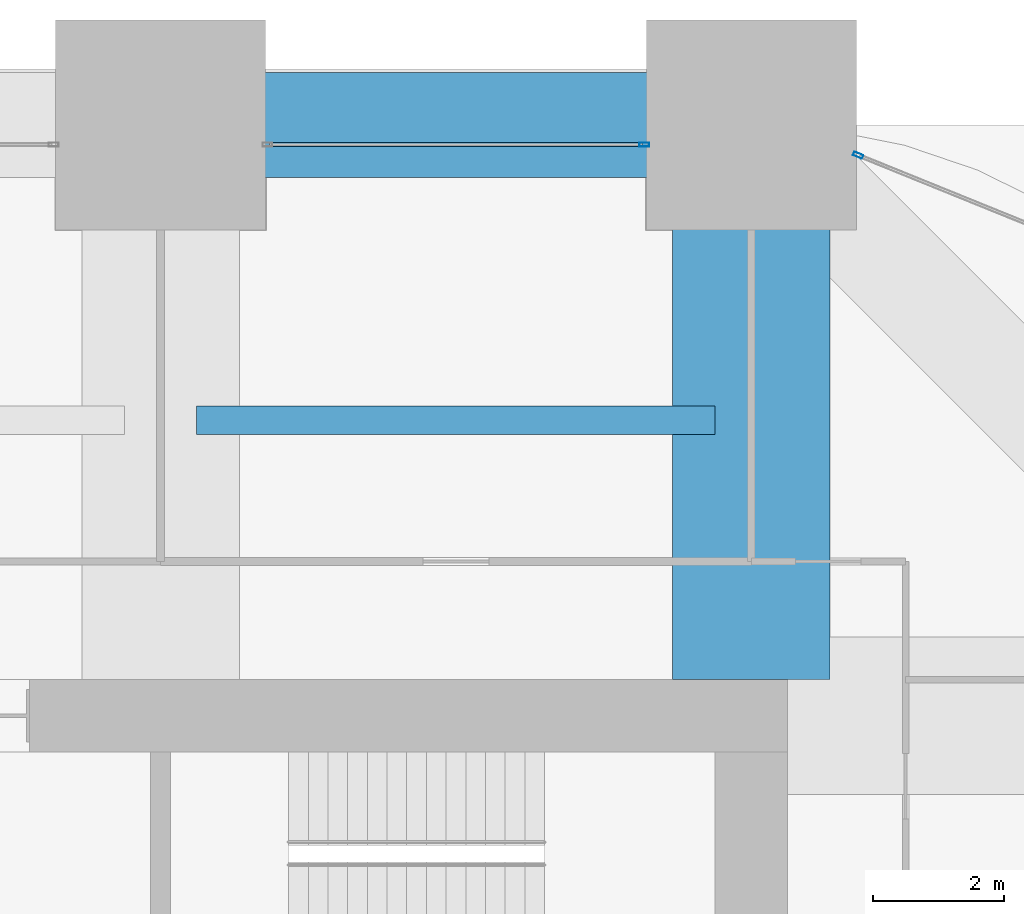
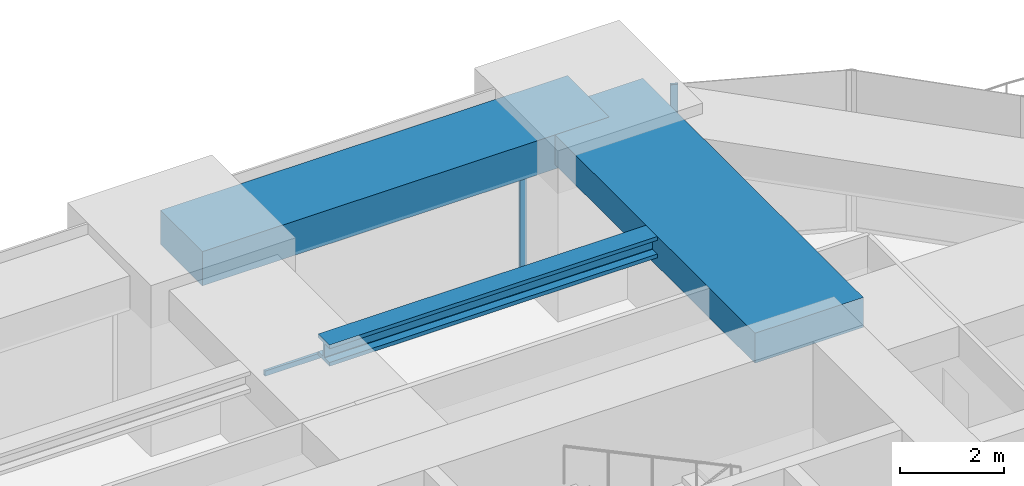
# One storey, part 27 of 35: 3 beams, 3 members, 2 elements without a shape of their own.
"""IFC4 building model written with IfcOpenShell, lengths in metres."""

from ifc_helpers import new_model, si_unit, direction, frame, origin, origin_2d, place, context, subcontext, project, spatial, rectangle, hollow_rectangle, i_section, extrude, material, material_profile, profile_set, type_object, element, aggregate, save


model = new_model("IFC4")

# Units and contexts
model_context = context("Model", 3, precision=1e-05, world=origin(), true_north=direction((0.0, 1.0)))
body_context = subcontext(model_context, "Body", "Model", "MODEL_VIEW")
ifc_project = project(units=[si_unit("LENGTHUNIT", "METRE"), si_unit("AREAUNIT", "SQUARE_METRE"), si_unit("VOLUMEUNIT", "CUBIC_METRE"), si_unit("PLANEANGLEUNIT", "RADIAN"), si_unit("MASSUNIT", "GRAM", prefix="KILO")], contexts=[model_context])

# Site, building, storey
site_placement = place(None, origin())
site = spatial("IfcSite", under=ifc_project, at=site_placement, CompositionType="ELEMENT")
building_placement = place(site_placement, origin())
building = spatial("IfcBuilding", under=site, at=building_placement, Name="Zorevar Civic Tower", CompositionType="ELEMENT")
storey_placement = place(building_placement, frame((0.0, 0.0, 162.199951171875)))
storey = spatial("IfcBuildingStorey", under=building, at=storey_placement, Name="L39", CompositionType="ELEMENT", Elevation=162.199951171875)

# Beam
ifc_material_1 = material(Name="Concrete C50/60", Category="concrete")
ifc_material_profile_1 = material_profile(ifc_material_1, rectangle(XDim=2.39990234375, YDim=0.699951171875, at=origin_2d()), Name="RC 2400x700")
ifc_profile_set_1 = profile_set([ifc_material_profile_1], Name="Concrete C50/60")
beam_type_1 = type_object("IfcBeamType", Name="Beam RC 2400x700", PredefinedType="BEAM", material=ifc_profile_set_1)
beam_1_placement = place(storey_placement, frame((45.0, 36.550048828125, 3.400146484375), z_axis=(0.0, 1.0, 0.0), x_axis=(-1.0, 0.0, 0.0)))
element("IfcBeam", 1, at=beam_1_placement, inside=storey, type_object=beam_type_1, Name="Girder L40", PredefinedType="BEAM", context=body_context, shape_type="SweptSolid", body=[
    extrude(rectangle(XDim=2.39990234375, YDim=0.699951171875, at=origin_2d()), origin(), (0.0, 0.0, 1.0), 8.449951171875),
])

# Curtain wall, member
ifc_material_2 = material(Name="Dark grey solar-control glass in black aluminium frame", Category="aluminium")
curtain_wall_type = type_object("IfcCurtainWallType", Name="Curtain wall CW4 high zone", PredefinedType="NOTDEFINED", material=ifc_material_2)
curtain_wall_1_placement = place(storey_placement, origin())
curtain_wall_1 = element("IfcCurtainWall", 2, at=curtain_wall_1_placement, inside=storey, type_object=curtain_wall_type, Name="CW4 L39", PredefinedType="NOTDEFINED")
ifc_material_3 = material(Name="Aluminium, black anodised", Category="aluminium")
ifc_material_profile_2 = material_profile(ifc_material_3, hollow_rectangle(XDim=0.06005859375, YDim=0.14990234375, WallThickness=0.00390625, at=origin_2d()), Name="AL 150x60x4")
ifc_profile_set_2 = profile_set([ifc_material_profile_2], Name="Aluminium, black anodised")
member_type_1 = type_object("IfcMemberType", Name="CW4 mullion AL 150x60x4", PredefinedType="MULLION", material=ifc_profile_set_2)
member_1_placement = place(storey_placement, frame((43.3701171875, 44.699951171875, 0.0), z_axis=(0.0, 0.0, 1.0), x_axis=(0.0, 1.0, 0.0)))
member_1 = element("IfcMember", 3, at=member_1_placement, type_object=member_type_1, Name="CW4 mullion 2", PredefinedType="MULLION", context=body_context, shape_type="SweptSolid", body=[
    extrude(hollow_rectangle(XDim=0.06005859375, YDim=0.14990234375, WallThickness=0.00390625, at=origin_2d()), origin(), (0.0, 0.0, 1.0), 2.949951171875),
])

curtain_wall_2_placement = place(storey_placement, origin())
curtain_wall_2 = element("IfcCurtainWall", 4, at=curtain_wall_2_placement, inside=storey, type_object=curtain_wall_type, Name="CW4 L39", PredefinedType="NOTDEFINED")
member_2_placement = place(storey_placement, frame((46.627685546875, 44.540283203125, 0.0), z_axis=(0.0, 0.0, 1.0), x_axis=(-0.375650166453, -0.926761540227, 0.0)))
member_2 = element("IfcMember", 5, at=member_2_placement, type_object=member_type_1, Name="CW4 mullion 2", PredefinedType="MULLION", context=body_context, shape_type="SweptSolid", body=[
    extrude(hollow_rectangle(XDim=0.06005859375, YDim=0.14990234375, WallThickness=0.00390625, at=origin_2d()), origin(), (0.0, 0.0, 1.0), 3.75),
])
aggregate(curtain_wall_2, [member_2])

# Member
ifc_material_4 = material(Name="Aluminium, black anodised", Category="aluminium")
ifc_material_profile_3 = material_profile(ifc_material_4, hollow_rectangle(XDim=0.06005859375, YDim=0.1201171875, WallThickness=0.0029296875, at=origin_2d()), Name="AL 120x60x3")
ifc_profile_set_3 = profile_set([ifc_material_profile_3], Name="Aluminium, black anodised")
member_type_2 = type_object("IfcMemberType", Name="CW4 transom AL 120x60x3", PredefinedType="USERDEFINED", material=ifc_profile_set_3)
member_3_placement = place(storey_placement, frame((37.659912109375, 44.699951171875, 0.030029296875), z_axis=(1.0, 0.0, 0.0), x_axis=(0.0, 1.0, 0.0)))
member_3 = element("IfcMember", 6, at=member_3_placement, type_object=member_type_2, Name="CW4 sill transom", ObjectType="TRANSOM", PredefinedType="USERDEFINED", context=body_context, shape_type="SweptSolid", body=[
    extrude(hollow_rectangle(XDim=0.06005859375, YDim=0.1201171875, WallThickness=0.0029296875, at=origin_2d()), origin(), (0.0, 0.0, 1.0), 5.68017578125),
])

aggregate(curtain_wall_1, [member_1, member_3])

# Beams
ifc_material_5 = material(Name="Steel S460M (HISTAR 460)", Category="steel")
ifc_material_profile_4 = material_profile(ifc_material_5, i_section(OverallWidth=0.431884765625, OverallDepth=0.498046875, WebThickness=0.0556640625, FlangeThickness=0.0888671875, FilletRadius=0.014892578125, at=origin_2d()), Name="HD 400x744")
ifc_profile_set_4 = profile_set([ifc_material_profile_4], Name="Steel S460M (HISTAR 460)")
beam_type_2 = type_object("IfcBeamType", Name="Core bay beam HD 400x744", PredefinedType="BEAM", material=ifc_profile_set_4)
beam_2_placement = place(storey_placement, frame((36.550048828125, 40.5, 3.5009765625), z_axis=(1.0, 0.0, 0.0), x_axis=(0.0, 1.0, 0.0)))
element("IfcBeam", 7, at=beam_2_placement, inside=storey, type_object=beam_type_2, Name="Secondary beam L40", PredefinedType="BEAM", context=body_context, shape_type="SweptSolid", body=[
    extrude(i_section(OverallWidth=0.431884765625, OverallDepth=0.498046875, WebThickness=0.0556640625, FlangeThickness=0.0888671875, FilletRadius=0.014892578125, at=origin_2d()), origin(), (0.0, 0.0, 1.0), 7.89990234375),
])
ifc_material_6 = material(Name="Concrete C50/60", Category="concrete")
ifc_material_profile_5 = material_profile(ifc_material_6, rectangle(XDim=1.60009765625, YDim=0.800048828125, at=origin_2d()), Name="RC 1600x800")
ifc_profile_set_5 = profile_set([ifc_material_profile_5], Name="Concrete C50/60")
beam_type_3 = type_object("IfcBeamType", Name="Edge beam RC 1600x800", PredefinedType="SPANDREL", material=ifc_profile_set_5)
beam_3_placement = place(storey_placement, frame((36.0, 45.0, 3.35009765625), z_axis=(1.0, 0.0, 0.0), x_axis=(0.0, 1.0, 0.0)))
element("IfcBeam", 8, at=beam_3_placement, inside=storey, type_object=beam_type_3, Name="Edge beam L40", PredefinedType="SPANDREL", context=body_context, shape_type="SweptSolid", body=[
    extrude(rectangle(XDim=1.60009765625, YDim=0.800048828125, at=origin_2d()), origin(), (0.0, 0.0, 1.0), 9.0),
])

save(model, "model.ifc")
